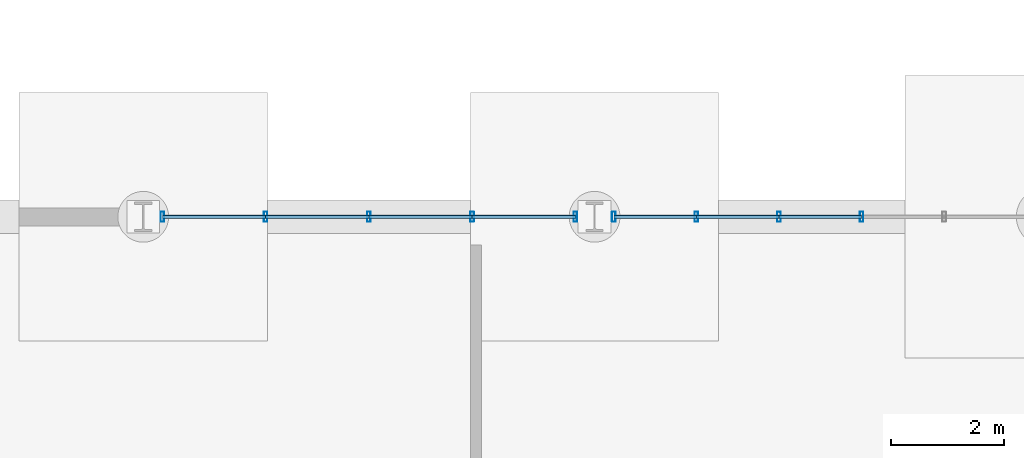
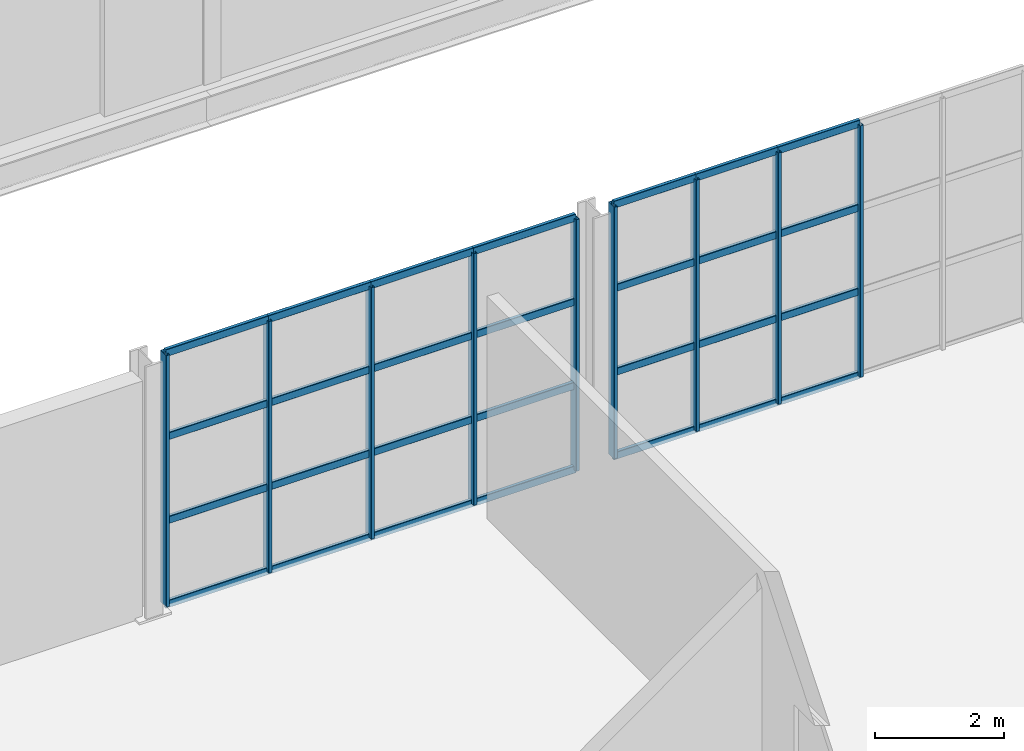
# One storey, part 59 of 101: 37 members, 2 elements without a shape of their own.
"""IFC4 building model written with IfcOpenShell, lengths in metres."""

import ifcopenshell
import ifcopenshell.guid

model = None  # the IFC model being written
_history = None  # IfcOwnerHistory: only IFC2X3 demands one
_inside = {}  # id of a spatial element -> (the spatial element, [elements in it])
_under = {}  # id of a project, library or spatial element -> (it, [spatial elements below it])
_declared = {}  # id of a project -> (the project, [libraries it declares])
_typed = {}  # id of a type object -> (the type object, [elements of that type])
_made_of = {}  # id of a material, layer set ... -> (it, [elements and type objects made of it])


def new_model(schema):
    """Start an empty IFC model of exactly this schema.

    Asked for "IFC4X3", IfcOpenShell would pick the latest addendum, in which some entities
    have other attributes; the version numbers below select the first issue.
    IFC2X3 requires an IfcOwnerHistory on every rooted entity: one is made here for all.
    """
    global model, _history
    if schema == "IFC4X3":
        model = ifcopenshell.file(schema_version=(4, 3, 0, 0))
    else:
        model = ifcopenshell.file(schema=schema)
    _inside.clear()
    _under.clear()
    _declared.clear()
    _typed.clear()
    _made_of.clear()
    _history = None
    if model.schema == "IFC2X3":
        org = make("IfcOrganization", Name="unknown")
        user = make(
            "IfcPersonAndOrganization",
            ThePerson=make("IfcPerson", FamilyName="unknown"),
            TheOrganization=org,
        )
        app = make(
            "IfcApplication",
            ApplicationDeveloper=org,
            Version="unknown",
            ApplicationFullName="unknown",
            ApplicationIdentifier="unknown",
        )
        _history = make(
            "IfcOwnerHistory",
            OwningUser=user,
            OwningApplication=app,
            ChangeAction="ADDED",
            CreationDate=0,
        )
    return model


def make(cls, **values):
    """One entity of the class cls with the attributes given. An attribute that is None is left unset."""
    return model.create_entity(
        cls, **{name: value for name, value in values.items() if value is not None}
    )


def rooted(cls, **values):
    """An entity with a GlobalId (a new one), such as an element, a storey or a relation."""
    return make(cls, GlobalId=ifcopenshell.guid.new(), OwnerHistory=_history, **values)


def si_unit(unit_type, name, prefix=None):
    """IfcSIUnit, for example si_unit("LENGTHUNIT", "METRE", prefix="MILLI")."""
    return make("IfcSIUnit", UnitType=unit_type, Prefix=prefix, Name=name)


def derived_unit(unit_type, elements):
    """IfcDerivedUnit: a product of units, each with its exponent."""
    return make(
        "IfcDerivedUnit",
        Elements=[
            make("IfcDerivedUnitElement", Unit=unit, Exponent=power)
            for unit, power in elements
        ],
        UnitType=unit_type,
    )


def assignment(units):
    """IfcUnitAssignment: the units of a project."""
    return None if units is None else make("IfcUnitAssignment", Units=units)


def point(xyz):
    """IfcCartesianPoint."""
    return None if xyz is None else make("IfcCartesianPoint", Coordinates=xyz)


def direction(xyz):
    """IfcDirection."""
    return None if xyz is None else make("IfcDirection", DirectionRatios=xyz)


def frame(location, z_axis=None, x_axis=None):
    """IfcAxis2Placement3D, a coordinate frame: its origin and axes. An axis left out is left unset."""
    return make(
        "IfcAxis2Placement3D",
        Location=point(location),
        Axis=direction(z_axis),
        RefDirection=direction(x_axis),
    )


def frame_2d(location, x_axis=None):
    """IfcAxis2Placement2D, a coordinate frame in the plane: its origin and x axis."""
    return make(
        "IfcAxis2Placement2D", Location=point(location), RefDirection=direction(x_axis)
    )


def origin():
    """The frame at (0, 0, 0) with its axes left unset."""
    return frame((0.0, 0.0, 0.0))


def origin_2d():
    """The frame at (0, 0) in the plane with its x axis left unset."""
    return frame_2d((0.0, 0.0))


def place(relative_to, where):
    """IfcLocalPlacement: puts the frame where relative to a parent placement (None: the world)."""
    return make(
        "IfcLocalPlacement", PlacementRelTo=relative_to, RelativePlacement=where
    )


def context(
    kind, dimensions, precision=None, world=None, true_north=None, identifier=None
):
    """IfcGeometricRepresentationContext, for example the 3D "Model" context."""
    return make(
        "IfcGeometricRepresentationContext",
        ContextIdentifier=identifier,
        ContextType=kind,
        CoordinateSpaceDimension=dimensions,
        Precision=precision,
        WorldCoordinateSystem=world,
        TrueNorth=true_north,
    )


def subcontext(parent, identifier, kind, view, scale=None):
    """IfcGeometricRepresentationSubContext, for example "Body" below "Model"."""
    return make(
        "IfcGeometricRepresentationSubContext",
        ContextIdentifier=identifier,
        ContextType=kind,
        ParentContext=parent,
        TargetScale=scale,
        TargetView=view,
    )


def project(units=None, contexts=None):
    """IfcProject with its units and contexts."""
    return rooted(
        "IfcProject",
        Name="project",
        RepresentationContexts=contexts,
        UnitsInContext=assignment(units),
    )


def spatial(cls, under=None, at=None, **own):
    """A site, building, storey or space (cls), placed at a placement, below another one or the project."""
    s = rooted(cls, ObjectPlacement=at, **own)
    if under is not None:
        _under.setdefault(under.id(), (under, []))[1].append(s)
    return s


def profile(cls, at=None, kind="AREA", **sizes):
    """A parametric profile (cls). Its sizes go by their IFC names, for example OverallWidth=200.0."""
    return make(cls, ProfileType=kind, Position=at, **sizes)


def hollow_rectangle(**sizes):
    """IfcRectangleHollowProfileDef."""
    return profile("IfcRectangleHollowProfileDef", **sizes)


def extrude(swept, where, along, depth):
    """IfcExtrudedAreaSolid: the profile swept, set in the frame where, extruded along a direction by depth."""
    return make(
        "IfcExtrudedAreaSolid",
        SweptArea=swept,
        Position=where,
        ExtrudedDirection=direction(along),
        Depth=depth,
    )


def shape(context_of_items, identifier, shape_type, items):
    """IfcShapeRepresentation: the items that make up one representation, for example the "Body"."""
    return make(
        "IfcShapeRepresentation",
        ContextOfItems=context_of_items,
        RepresentationIdentifier=identifier,
        RepresentationType=shape_type,
        Items=items,
    )


def material(Name=None, Category=None):
    """IfcMaterial."""
    return make("IfcMaterial", Name=Name, Category=Category)


def material_profile(
    of_material, cross_section, Name=None, Category=None, Priority=None
):
    """IfcMaterialProfile: a cross section and its material."""
    return make(
        "IfcMaterialProfile",
        Name=Name,
        Material=of_material,
        Profile=cross_section,
        Priority=Priority,
        Category=Category,
    )


def profile_set(profiles, Name=None, composite=None):
    """IfcMaterialProfileSet."""
    return make(
        "IfcMaterialProfileSet",
        Name=Name,
        MaterialProfiles=profiles,
        CompositeProfile=composite,
    )


def made_of(thing, what):
    """Note that an element or type object is made of a material, layer set ...; save() writes the relation."""
    if what is not None:
        _made_of.setdefault(what.id(), (what, []))[1].append(thing)
    return thing


def type_object(cls, material=None, **own):
    """A type object (cls), such as IfcWallType, which elements share."""
    return made_of(rooted(cls, **own), material)


def element(
    cls,
    number,
    at=None,
    inside=None,
    cuts=None,
    type_object=None,
    material=None,
    context=None,
    identifier="Body",
    shape_type=None,
    held_by="IfcProductDefinitionShape",
    body=None,
    shapes=None,
    **own,
):
    """One element of the class cls, such as IfcWall. Its Tag is "e" and its number.

    at: its placement. inside: the storey or other place that contains it. cuts: it is an
    opening in that element (IfcRelVoidsElement). A single representation is given by context,
    identifier, shape_type and body (its items); several are given by shapes. held_by: the class
    of the entity that holds the representations. save() writes the other relations.
    """
    e = rooted(cls, Tag="e%d" % number, ObjectPlacement=at, **own)
    if body is not None:
        shapes = [shape(context, identifier, shape_type, body)]
    if shapes is not None:
        e.Representation = make(held_by, Representations=shapes)
    if inside is not None:
        _inside.setdefault(inside.id(), (inside, []))[1].append(e)
    if cuts is not None:
        rooted(
            "IfcRelVoidsElement", RelatingBuildingElement=cuts, RelatedOpeningElement=e
        )
    if type_object is not None:
        _typed.setdefault(type_object.id(), (type_object, []))[1].append(e)
    return made_of(e, material)


def aggregate(whole, parts):
    """IfcRelAggregates: a whole, such as a stair, and the parts it consists of."""
    return rooted("IfcRelAggregates", RelatingObject=whole, RelatedObjects=parts)


def save(model, path):
    """Write the relations noted so far, then the file.

    IfcRelAggregates (storeys below a building ...), IfcRelContainedInSpatialStructure (elements
    in a storey), IfcRelDefinesByType, IfcRelAssociatesMaterial and IfcRelDeclares: one each for
    every whole, place, type object, material and project.
    """
    for whole, parts in _under.values():
        aggregate(whole, parts)
    for where, things in _inside.values():
        rooted(
            "IfcRelContainedInSpatialStructure",
            RelatedElements=things,
            RelatingStructure=where,
        )
    for kind, things in _typed.values():
        rooted("IfcRelDefinesByType", RelatedObjects=things, RelatingType=kind)
    for what, things in _made_of.values():
        rooted("IfcRelAssociatesMaterial", RelatedObjects=things, RelatingMaterial=what)
    for by, libraries in _declared.values():
        rooted("IfcRelDeclares", RelatingContext=by, RelatedDefinitions=libraries)
    model.write(path)


model = new_model("IFC4")

# Units and contexts
model_context = context("Model", 3, precision=1e-05, world=origin(), true_north=direction((0.0, 1.0)))
body_context = subcontext(model_context, "Body", "Model", "MODEL_VIEW")
ifc_project = project(units=[si_unit("LENGTHUNIT", "METRE"), si_unit("AREAUNIT", "SQUARE_METRE"), si_unit("VOLUMEUNIT", "CUBIC_METRE"), si_unit("PLANEANGLEUNIT", "RADIAN"), si_unit("MASSUNIT", "GRAM", prefix="KILO"), derived_unit("THERMALTRANSMITTANCEUNIT", [(si_unit("POWERUNIT", "WATT"), 1), (si_unit("LENGTHUNIT", "METRE"), -2), (si_unit("THERMODYNAMICTEMPERATUREUNIT", "KELVIN"), -1)])], contexts=[model_context])

# Site, building, storey
site_placement = place(None, origin())
site = spatial("IfcSite", under=ifc_project, at=site_placement, CompositionType="ELEMENT")
building_placement = place(site_placement, origin())
building = spatial("IfcBuilding", under=site, at=building_placement, Name="Keldorne Ridge Multi-Sports Centre", CompositionType="ELEMENT")
storey_placement = place(building_placement, origin())
storey = spatial("IfcBuildingStorey", under=building, at=storey_placement, Name="L00", CompositionType="ELEMENT", Elevation=0.0)

# Curtain wall, members
ifc_material = material(Name="Anodized aluminium", Category="aluminium")
curtain_wall_type_1 = type_object("IfcCurtainWallType", Name="CW-CW-08", PredefinedType="NOTDEFINED", material=ifc_material)
curtain_wall_1_placement = place(storey_placement, origin())
curtain_wall_1 = element("IfcCurtainWall", 1, at=curtain_wall_1_placement, inside=storey, type_object=curtain_wall_type_1, Name="Lower Courts north glazing 128", PredefinedType="NOTDEFINED")
ifc_material_profile_1 = material_profile(ifc_material, hollow_rectangle(XDim=0.06494140625, YDim=0.179931640625, WallThickness=0.00439453125, InnerFilletRadius=0.00439453125, OuterFilletRadius=0.009033203125, at=origin_2d()), Name="ALU MULLION 180x65x4.5")
ifc_profile_set_1 = profile_set([ifc_material_profile_1], Name="Anodized aluminium")
member_type_1 = type_object("IfcMemberType", Name="MEM-ML-01", PredefinedType="MULLION", material=ifc_profile_set_1)
member_1_placement = place(storey_placement, frame((159.659912109375, 54.0, 0.0), z_axis=(0.0, 0.0, 1.0), x_axis=(1.0, 0.0, 0.0)))
member_1 = element("IfcMember", 2, at=member_1_placement, type_object=member_type_1, Name="CW-128 vertical mullion 1", PredefinedType="MULLION", context=body_context, shape_type="SweptSolid", body=[
    extrude(hollow_rectangle(XDim=0.06494140625, YDim=0.179931640625, WallThickness=0.00439453125, InnerFilletRadius=0.00439453125, OuterFilletRadius=0.009033203125, at=origin_2d()), origin(), (0.0, 0.0, 1.0), 4.75),
])
member_2_placement = place(storey_placement, frame((157.830078125, 54.0, 0.0), z_axis=(0.0, 0.0, 1.0), x_axis=(1.0, 0.0, 0.0)))
member_2 = element("IfcMember", 3, at=member_2_placement, type_object=member_type_1, Name="CW-128 vertical mullion 2", PredefinedType="MULLION", context=body_context, shape_type="SweptSolid", body=[
    extrude(hollow_rectangle(XDim=0.06494140625, YDim=0.179931640625, WallThickness=0.00439453125, InnerFilletRadius=0.00439453125, OuterFilletRadius=0.009033203125, at=origin_2d()), origin(), (0.0, 0.0, 1.0), 4.75),
])
member_3_placement = place(storey_placement, frame((156.0, 54.0, 0.0), z_axis=(0.0, 0.0, 1.0), x_axis=(1.0, 0.0, 0.0)))
member_3 = element("IfcMember", 4, at=member_3_placement, type_object=member_type_1, Name="CW-128 vertical mullion 3", PredefinedType="MULLION", context=body_context, shape_type="SweptSolid", body=[
    extrude(hollow_rectangle(XDim=0.06494140625, YDim=0.179931640625, WallThickness=0.00439453125, InnerFilletRadius=0.00439453125, OuterFilletRadius=0.009033203125, at=origin_2d()), origin(), (0.0, 0.0, 1.0), 4.75),
])
member_4_placement = place(storey_placement, frame((154.169921875, 54.0, 0.0), z_axis=(0.0, 0.0, 1.0), x_axis=(1.0, 0.0, 0.0)))
member_4 = element("IfcMember", 5, at=member_4_placement, type_object=member_type_1, Name="CW-128 vertical mullion 4", PredefinedType="MULLION", context=body_context, shape_type="SweptSolid", body=[
    extrude(hollow_rectangle(XDim=0.06494140625, YDim=0.179931640625, WallThickness=0.00439453125, InnerFilletRadius=0.00439453125, OuterFilletRadius=0.009033203125, at=origin_2d()), origin(), (0.0, 0.0, 1.0), 4.75),
])
member_5_placement = place(storey_placement, frame((152.340087890625, 54.0, 0.0), z_axis=(0.0, 0.0, 1.0), x_axis=(1.0, 0.0, 0.0)))
member_5 = element("IfcMember", 6, at=member_5_placement, type_object=member_type_1, Name="CW-128 vertical mullion 5", PredefinedType="MULLION", context=body_context, shape_type="SweptSolid", body=[
    extrude(hollow_rectangle(XDim=0.06494140625, YDim=0.179931640625, WallThickness=0.00439453125, InnerFilletRadius=0.00439453125, OuterFilletRadius=0.009033203125, at=origin_2d()), origin(), (0.0, 0.0, 1.0), 4.75),
])

curtain_wall_type_2 = type_object("IfcCurtainWallType", Name="CW-CW-07", PredefinedType="NOTDEFINED", material=ifc_material)
curtain_wall_2_placement = place(storey_placement, origin())
curtain_wall_2 = element("IfcCurtainWall", 7, at=curtain_wall_2_placement, inside=storey, type_object=curtain_wall_type_2, Name="Lower Courts north glazing 135", PredefinedType="NOTDEFINED")
member_6_placement = place(storey_placement, frame((164.73193359375, 54.0, 0.0), z_axis=(0.0, 0.0, 1.0), x_axis=(1.0, 0.0, 0.0)))
member_6 = element("IfcMember", 8, at=member_6_placement, type_object=member_type_1, Name="CW-135 vertical mullion 3", PredefinedType="MULLION", context=body_context, shape_type="SweptSolid", body=[
    extrude(hollow_rectangle(XDim=0.06494140625, YDim=0.179931640625, WallThickness=0.00439453125, InnerFilletRadius=0.00439453125, OuterFilletRadius=0.009033203125, at=origin_2d()), origin(), (0.0, 0.0, 1.0), 4.75),
])
member_7_placement = place(storey_placement, frame((163.26806640625, 54.0, 0.0), z_axis=(0.0, 0.0, 1.0), x_axis=(1.0, 0.0, 0.0)))
member_7 = element("IfcMember", 9, at=member_7_placement, type_object=member_type_1, Name="CW-135 vertical mullion 4", PredefinedType="MULLION", context=body_context, shape_type="SweptSolid", body=[
    extrude(hollow_rectangle(XDim=0.06494140625, YDim=0.179931640625, WallThickness=0.00439453125, InnerFilletRadius=0.00439453125, OuterFilletRadius=0.009033203125, at=origin_2d()), origin(), (0.0, 0.0, 1.0), 4.75),
])
member_8_placement = place(storey_placement, frame((161.803955078125, 54.0, 0.0), z_axis=(0.0, 0.0, 1.0), x_axis=(1.0, 0.0, 0.0)))
member_8 = element("IfcMember", 10, at=member_8_placement, type_object=member_type_1, Name="CW-135 vertical mullion 5", PredefinedType="MULLION", context=body_context, shape_type="SweptSolid", body=[
    extrude(hollow_rectangle(XDim=0.06494140625, YDim=0.179931640625, WallThickness=0.00439453125, InnerFilletRadius=0.00439453125, OuterFilletRadius=0.009033203125, at=origin_2d()), origin(), (0.0, 0.0, 1.0), 4.75),
])
member_9_placement = place(storey_placement, frame((160.340087890625, 54.0, 0.0), z_axis=(0.0, 0.0, 1.0), x_axis=(1.0, 0.0, 0.0)))
member_9 = element("IfcMember", 11, at=member_9_placement, type_object=member_type_1, Name="CW-135 vertical mullion 6", PredefinedType="MULLION", context=body_context, shape_type="SweptSolid", body=[
    extrude(hollow_rectangle(XDim=0.06494140625, YDim=0.179931640625, WallThickness=0.00439453125, InnerFilletRadius=0.00439453125, OuterFilletRadius=0.009033203125, at=origin_2d()), origin(), (0.0, 0.0, 1.0), 4.75),
])

# Member
ifc_material_profile_2 = material_profile(ifc_material, hollow_rectangle(XDim=0.06494140625, YDim=0.139892578125, WallThickness=0.00439453125, InnerFilletRadius=0.00439453125, OuterFilletRadius=0.009033203125, at=origin_2d()), Name="ALU TRANSOM 140x65x4.5")
ifc_profile_set_2 = profile_set([ifc_material_profile_2], Name="Anodized aluminium")
member_type_2 = type_object("IfcMemberType", Name="MEM-TR-01", PredefinedType="USERDEFINED", material=ifc_profile_set_2)
member_10_placement = place(storey_placement, frame((159.659912109375, 54.0, 0.0), z_axis=(-1.0, 0.0, 0.0), x_axis=(0.0, -1.0, 0.0)))
member_10 = element("IfcMember", 12, at=member_10_placement, type_object=member_type_2, Name="CW-128 transom 1.1", ObjectType="TRANSOM", PredefinedType="USERDEFINED", context=body_context, shape_type="SweptSolid", body=[
    extrude(hollow_rectangle(XDim=0.06494140625, YDim=0.139892578125, WallThickness=0.00439453125, InnerFilletRadius=0.00439453125, OuterFilletRadius=0.009033203125, at=origin_2d()), origin(), (0.0, 0.0, 1.0), 1.829833984375),
])

member_11_placement = place(storey_placement, frame((159.659912109375, 54.0, 1.583251953125), z_axis=(-1.0, 0.0, 0.0), x_axis=(0.0, -1.0, 0.0)))
member_11 = element("IfcMember", 13, at=member_11_placement, type_object=member_type_2, Name="CW-128 transom 1.2", ObjectType="TRANSOM", PredefinedType="USERDEFINED", context=body_context, shape_type="SweptSolid", body=[
    extrude(hollow_rectangle(XDim=0.06494140625, YDim=0.139892578125, WallThickness=0.00439453125, InnerFilletRadius=0.00439453125, OuterFilletRadius=0.009033203125, at=origin_2d()), origin(), (0.0, 0.0, 1.0), 1.829833984375),
])

member_12_placement = place(storey_placement, frame((159.659912109375, 54.0, 3.166748046875), z_axis=(-1.0, 0.0, 0.0), x_axis=(0.0, -1.0, 0.0)))
member_12 = element("IfcMember", 14, at=member_12_placement, type_object=member_type_2, Name="CW-128 transom 1.3", ObjectType="TRANSOM", PredefinedType="USERDEFINED", context=body_context, shape_type="SweptSolid", body=[
    extrude(hollow_rectangle(XDim=0.06494140625, YDim=0.139892578125, WallThickness=0.00439453125, InnerFilletRadius=0.00439453125, OuterFilletRadius=0.009033203125, at=origin_2d()), origin(), (0.0, 0.0, 1.0), 1.829833984375),
])

member_13_placement = place(storey_placement, frame((159.659912109375, 54.0, 4.75), z_axis=(-1.0, 0.0, 0.0), x_axis=(0.0, -1.0, 0.0)))
member_13 = element("IfcMember", 15, at=member_13_placement, type_object=member_type_2, Name="CW-128 transom 1.4", ObjectType="TRANSOM", PredefinedType="USERDEFINED", context=body_context, shape_type="SweptSolid", body=[
    extrude(hollow_rectangle(XDim=0.06494140625, YDim=0.139892578125, WallThickness=0.00439453125, InnerFilletRadius=0.00439453125, OuterFilletRadius=0.009033203125, at=origin_2d()), origin(), (0.0, 0.0, 1.0), 1.829833984375),
])

member_14_placement = place(storey_placement, frame((157.830078125, 54.0, 0.0), z_axis=(-1.0, 0.0, 0.0), x_axis=(0.0, -1.0, 0.0)))
member_14 = element("IfcMember", 16, at=member_14_placement, type_object=member_type_2, Name="CW-128 transom 2.1", ObjectType="TRANSOM", PredefinedType="USERDEFINED", context=body_context, shape_type="SweptSolid", body=[
    extrude(hollow_rectangle(XDim=0.06494140625, YDim=0.139892578125, WallThickness=0.00439453125, InnerFilletRadius=0.00439453125, OuterFilletRadius=0.009033203125, at=origin_2d()), origin(), (0.0, 0.0, 1.0), 1.830078125),
])

member_15_placement = place(storey_placement, frame((157.830078125, 54.0, 1.583251953125), z_axis=(-1.0, 0.0, 0.0), x_axis=(0.0, -1.0, 0.0)))
member_15 = element("IfcMember", 17, at=member_15_placement, type_object=member_type_2, Name="CW-128 transom 2.2", ObjectType="TRANSOM", PredefinedType="USERDEFINED", context=body_context, shape_type="SweptSolid", body=[
    extrude(hollow_rectangle(XDim=0.06494140625, YDim=0.139892578125, WallThickness=0.00439453125, InnerFilletRadius=0.00439453125, OuterFilletRadius=0.009033203125, at=origin_2d()), origin(), (0.0, 0.0, 1.0), 1.830078125),
])

member_16_placement = place(storey_placement, frame((157.830078125, 54.0, 3.166748046875), z_axis=(-1.0, 0.0, 0.0), x_axis=(0.0, -1.0, 0.0)))
member_16 = element("IfcMember", 18, at=member_16_placement, type_object=member_type_2, Name="CW-128 transom 2.3", ObjectType="TRANSOM", PredefinedType="USERDEFINED", context=body_context, shape_type="SweptSolid", body=[
    extrude(hollow_rectangle(XDim=0.06494140625, YDim=0.139892578125, WallThickness=0.00439453125, InnerFilletRadius=0.00439453125, OuterFilletRadius=0.009033203125, at=origin_2d()), origin(), (0.0, 0.0, 1.0), 1.830078125),
])

member_17_placement = place(storey_placement, frame((157.830078125, 54.0, 4.75), z_axis=(-1.0, 0.0, 0.0), x_axis=(0.0, -1.0, 0.0)))
member_17 = element("IfcMember", 19, at=member_17_placement, type_object=member_type_2, Name="CW-128 transom 2.4", ObjectType="TRANSOM", PredefinedType="USERDEFINED", context=body_context, shape_type="SweptSolid", body=[
    extrude(hollow_rectangle(XDim=0.06494140625, YDim=0.139892578125, WallThickness=0.00439453125, InnerFilletRadius=0.00439453125, OuterFilletRadius=0.009033203125, at=origin_2d()), origin(), (0.0, 0.0, 1.0), 1.830078125),
])

member_18_placement = place(storey_placement, frame((156.0, 54.0, 0.0), z_axis=(-1.0, 0.0, 0.0), x_axis=(0.0, -1.0, 0.0)))
member_18 = element("IfcMember", 20, at=member_18_placement, type_object=member_type_2, Name="CW-128 transom 3.1", ObjectType="TRANSOM", PredefinedType="USERDEFINED", context=body_context, shape_type="SweptSolid", body=[
    extrude(hollow_rectangle(XDim=0.06494140625, YDim=0.139892578125, WallThickness=0.00439453125, InnerFilletRadius=0.00439453125, OuterFilletRadius=0.009033203125, at=origin_2d()), origin(), (0.0, 0.0, 1.0), 1.830078125),
])

member_19_placement = place(storey_placement, frame((156.0, 54.0, 1.583251953125), z_axis=(-1.0, 0.0, 0.0), x_axis=(0.0, -1.0, 0.0)))
member_19 = element("IfcMember", 21, at=member_19_placement, type_object=member_type_2, Name="CW-128 transom 3.2", ObjectType="TRANSOM", PredefinedType="USERDEFINED", context=body_context, shape_type="SweptSolid", body=[
    extrude(hollow_rectangle(XDim=0.06494140625, YDim=0.139892578125, WallThickness=0.00439453125, InnerFilletRadius=0.00439453125, OuterFilletRadius=0.009033203125, at=origin_2d()), origin(), (0.0, 0.0, 1.0), 1.830078125),
])

member_20_placement = place(storey_placement, frame((156.0, 54.0, 3.166748046875), z_axis=(-1.0, 0.0, 0.0), x_axis=(0.0, -1.0, 0.0)))
member_20 = element("IfcMember", 22, at=member_20_placement, type_object=member_type_2, Name="CW-128 transom 3.3", ObjectType="TRANSOM", PredefinedType="USERDEFINED", context=body_context, shape_type="SweptSolid", body=[
    extrude(hollow_rectangle(XDim=0.06494140625, YDim=0.139892578125, WallThickness=0.00439453125, InnerFilletRadius=0.00439453125, OuterFilletRadius=0.009033203125, at=origin_2d()), origin(), (0.0, 0.0, 1.0), 1.830078125),
])

member_21_placement = place(storey_placement, frame((156.0, 54.0, 4.75), z_axis=(-1.0, 0.0, 0.0), x_axis=(0.0, -1.0, 0.0)))
member_21 = element("IfcMember", 23, at=member_21_placement, type_object=member_type_2, Name="CW-128 transom 3.4", ObjectType="TRANSOM", PredefinedType="USERDEFINED", context=body_context, shape_type="SweptSolid", body=[
    extrude(hollow_rectangle(XDim=0.06494140625, YDim=0.139892578125, WallThickness=0.00439453125, InnerFilletRadius=0.00439453125, OuterFilletRadius=0.009033203125, at=origin_2d()), origin(), (0.0, 0.0, 1.0), 1.830078125),
])

member_22_placement = place(storey_placement, frame((154.169921875, 54.0, 0.0), z_axis=(-1.0, 0.0, 0.0), x_axis=(0.0, -1.0, 0.0)))
member_22 = element("IfcMember", 24, at=member_22_placement, type_object=member_type_2, Name="CW-128 transom 4.1", ObjectType="TRANSOM", PredefinedType="USERDEFINED", context=body_context, shape_type="SweptSolid", body=[
    extrude(hollow_rectangle(XDim=0.06494140625, YDim=0.139892578125, WallThickness=0.00439453125, InnerFilletRadius=0.00439453125, OuterFilletRadius=0.009033203125, at=origin_2d()), origin(), (0.0, 0.0, 1.0), 1.829833984375),
])

member_23_placement = place(storey_placement, frame((154.169921875, 54.0, 1.583251953125), z_axis=(-1.0, 0.0, 0.0), x_axis=(0.0, -1.0, 0.0)))
member_23 = element("IfcMember", 25, at=member_23_placement, type_object=member_type_2, Name="CW-128 transom 4.2", ObjectType="TRANSOM", PredefinedType="USERDEFINED", context=body_context, shape_type="SweptSolid", body=[
    extrude(hollow_rectangle(XDim=0.06494140625, YDim=0.139892578125, WallThickness=0.00439453125, InnerFilletRadius=0.00439453125, OuterFilletRadius=0.009033203125, at=origin_2d()), origin(), (0.0, 0.0, 1.0), 1.829833984375),
])

member_24_placement = place(storey_placement, frame((154.169921875, 54.0, 3.166748046875), z_axis=(-1.0, 0.0, 0.0), x_axis=(0.0, -1.0, 0.0)))
member_24 = element("IfcMember", 26, at=member_24_placement, type_object=member_type_2, Name="CW-128 transom 4.3", ObjectType="TRANSOM", PredefinedType="USERDEFINED", context=body_context, shape_type="SweptSolid", body=[
    extrude(hollow_rectangle(XDim=0.06494140625, YDim=0.139892578125, WallThickness=0.00439453125, InnerFilletRadius=0.00439453125, OuterFilletRadius=0.009033203125, at=origin_2d()), origin(), (0.0, 0.0, 1.0), 1.829833984375),
])

member_25_placement = place(storey_placement, frame((154.169921875, 54.0, 4.75), z_axis=(-1.0, 0.0, 0.0), x_axis=(0.0, -1.0, 0.0)))
member_25 = element("IfcMember", 27, at=member_25_placement, type_object=member_type_2, Name="CW-128 transom 4.4", ObjectType="TRANSOM", PredefinedType="USERDEFINED", context=body_context, shape_type="SweptSolid", body=[
    extrude(hollow_rectangle(XDim=0.06494140625, YDim=0.139892578125, WallThickness=0.00439453125, InnerFilletRadius=0.00439453125, OuterFilletRadius=0.009033203125, at=origin_2d()), origin(), (0.0, 0.0, 1.0), 1.829833984375),
])

aggregate(curtain_wall_1, [member_1, member_2, member_3, member_4, member_5, member_10, member_11, member_12, member_13, member_14, member_15, member_16, member_17, member_18, member_19, member_20, member_21, member_22, member_23, member_24, member_25])

member_26_placement = place(storey_placement, frame((164.73193359375, 54.0, 0.0), z_axis=(-1.0, 0.0, 0.0), x_axis=(0.0, -1.0, 0.0)))
member_26 = element("IfcMember", 28, at=member_26_placement, type_object=member_type_2, Name="CW-135 transom 3.1", ObjectType="TRANSOM", PredefinedType="USERDEFINED", context=body_context, shape_type="SweptSolid", body=[
    extrude(hollow_rectangle(XDim=0.06494140625, YDim=0.139892578125, WallThickness=0.00439453125, InnerFilletRadius=0.00439453125, OuterFilletRadius=0.009033203125, at=origin_2d()), origin(), (0.0, 0.0, 1.0), 1.4638671875),
])

member_27_placement = place(storey_placement, frame((164.73193359375, 54.0, 1.583251953125), z_axis=(-1.0, 0.0, 0.0), x_axis=(0.0, -1.0, 0.0)))
member_27 = element("IfcMember", 29, at=member_27_placement, type_object=member_type_2, Name="CW-135 transom 3.2", ObjectType="TRANSOM", PredefinedType="USERDEFINED", context=body_context, shape_type="SweptSolid", body=[
    extrude(hollow_rectangle(XDim=0.06494140625, YDim=0.139892578125, WallThickness=0.00439453125, InnerFilletRadius=0.00439453125, OuterFilletRadius=0.009033203125, at=origin_2d()), origin(), (0.0, 0.0, 1.0), 1.4638671875),
])

member_28_placement = place(storey_placement, frame((164.73193359375, 54.0, 3.166748046875), z_axis=(-1.0, 0.0, 0.0), x_axis=(0.0, -1.0, 0.0)))
member_28 = element("IfcMember", 30, at=member_28_placement, type_object=member_type_2, Name="CW-135 transom 3.3", ObjectType="TRANSOM", PredefinedType="USERDEFINED", context=body_context, shape_type="SweptSolid", body=[
    extrude(hollow_rectangle(XDim=0.06494140625, YDim=0.139892578125, WallThickness=0.00439453125, InnerFilletRadius=0.00439453125, OuterFilletRadius=0.009033203125, at=origin_2d()), origin(), (0.0, 0.0, 1.0), 1.4638671875),
])

member_29_placement = place(storey_placement, frame((164.73193359375, 54.0, 4.75), z_axis=(-1.0, 0.0, 0.0), x_axis=(0.0, -1.0, 0.0)))
member_29 = element("IfcMember", 31, at=member_29_placement, type_object=member_type_2, Name="CW-135 transom 3.4", ObjectType="TRANSOM", PredefinedType="USERDEFINED", context=body_context, shape_type="SweptSolid", body=[
    extrude(hollow_rectangle(XDim=0.06494140625, YDim=0.139892578125, WallThickness=0.00439453125, InnerFilletRadius=0.00439453125, OuterFilletRadius=0.009033203125, at=origin_2d()), origin(), (0.0, 0.0, 1.0), 1.4638671875),
])

member_30_placement = place(storey_placement, frame((163.26806640625, 54.0, 0.0), z_axis=(-1.0, 0.0, 0.0), x_axis=(0.0, -1.0, 0.0)))
member_30 = element("IfcMember", 32, at=member_30_placement, type_object=member_type_2, Name="CW-135 transom 4.1", ObjectType="TRANSOM", PredefinedType="USERDEFINED", context=body_context, shape_type="SweptSolid", body=[
    extrude(hollow_rectangle(XDim=0.06494140625, YDim=0.139892578125, WallThickness=0.00439453125, InnerFilletRadius=0.00439453125, OuterFilletRadius=0.009033203125, at=origin_2d()), origin(), (0.0, 0.0, 1.0), 1.464111328125),
])

member_31_placement = place(storey_placement, frame((163.26806640625, 54.0, 1.583251953125), z_axis=(-1.0, 0.0, 0.0), x_axis=(0.0, -1.0, 0.0)))
member_31 = element("IfcMember", 33, at=member_31_placement, type_object=member_type_2, Name="CW-135 transom 4.2", ObjectType="TRANSOM", PredefinedType="USERDEFINED", context=body_context, shape_type="SweptSolid", body=[
    extrude(hollow_rectangle(XDim=0.06494140625, YDim=0.139892578125, WallThickness=0.00439453125, InnerFilletRadius=0.00439453125, OuterFilletRadius=0.009033203125, at=origin_2d()), origin(), (0.0, 0.0, 1.0), 1.464111328125),
])

member_32_placement = place(storey_placement, frame((163.26806640625, 54.0, 3.166748046875), z_axis=(-1.0, 0.0, 0.0), x_axis=(0.0, -1.0, 0.0)))
member_32 = element("IfcMember", 34, at=member_32_placement, type_object=member_type_2, Name="CW-135 transom 4.3", ObjectType="TRANSOM", PredefinedType="USERDEFINED", context=body_context, shape_type="SweptSolid", body=[
    extrude(hollow_rectangle(XDim=0.06494140625, YDim=0.139892578125, WallThickness=0.00439453125, InnerFilletRadius=0.00439453125, OuterFilletRadius=0.009033203125, at=origin_2d()), origin(), (0.0, 0.0, 1.0), 1.464111328125),
])

member_33_placement = place(storey_placement, frame((163.26806640625, 54.0, 4.75), z_axis=(-1.0, 0.0, 0.0), x_axis=(0.0, -1.0, 0.0)))
member_33 = element("IfcMember", 35, at=member_33_placement, type_object=member_type_2, Name="CW-135 transom 4.4", ObjectType="TRANSOM", PredefinedType="USERDEFINED", context=body_context, shape_type="SweptSolid", body=[
    extrude(hollow_rectangle(XDim=0.06494140625, YDim=0.139892578125, WallThickness=0.00439453125, InnerFilletRadius=0.00439453125, OuterFilletRadius=0.009033203125, at=origin_2d()), origin(), (0.0, 0.0, 1.0), 1.464111328125),
])

member_34_placement = place(storey_placement, frame((161.803955078125, 54.0, 0.0), z_axis=(-1.0, 0.0, 0.0), x_axis=(0.0, -1.0, 0.0)))
member_34 = element("IfcMember", 36, at=member_34_placement, type_object=member_type_2, Name="CW-135 transom 5.1", ObjectType="TRANSOM", PredefinedType="USERDEFINED", context=body_context, shape_type="SweptSolid", body=[
    extrude(hollow_rectangle(XDim=0.06494140625, YDim=0.139892578125, WallThickness=0.00439453125, InnerFilletRadius=0.00439453125, OuterFilletRadius=0.009033203125, at=origin_2d()), origin(), (0.0, 0.0, 1.0), 1.4638671875),
])

member_35_placement = place(storey_placement, frame((161.803955078125, 54.0, 1.583251953125), z_axis=(-1.0, 0.0, 0.0), x_axis=(0.0, -1.0, 0.0)))
member_35 = element("IfcMember", 37, at=member_35_placement, type_object=member_type_2, Name="CW-135 transom 5.2", ObjectType="TRANSOM", PredefinedType="USERDEFINED", context=body_context, shape_type="SweptSolid", body=[
    extrude(hollow_rectangle(XDim=0.06494140625, YDim=0.139892578125, WallThickness=0.00439453125, InnerFilletRadius=0.00439453125, OuterFilletRadius=0.009033203125, at=origin_2d()), origin(), (0.0, 0.0, 1.0), 1.4638671875),
])

member_36_placement = place(storey_placement, frame((161.803955078125, 54.0, 3.166748046875), z_axis=(-1.0, 0.0, 0.0), x_axis=(0.0, -1.0, 0.0)))
member_36 = element("IfcMember", 38, at=member_36_placement, type_object=member_type_2, Name="CW-135 transom 5.3", ObjectType="TRANSOM", PredefinedType="USERDEFINED", context=body_context, shape_type="SweptSolid", body=[
    extrude(hollow_rectangle(XDim=0.06494140625, YDim=0.139892578125, WallThickness=0.00439453125, InnerFilletRadius=0.00439453125, OuterFilletRadius=0.009033203125, at=origin_2d()), origin(), (0.0, 0.0, 1.0), 1.4638671875),
])

member_37_placement = place(storey_placement, frame((161.803955078125, 54.0, 4.75), z_axis=(-1.0, 0.0, 0.0), x_axis=(0.0, -1.0, 0.0)))
member_37 = element("IfcMember", 39, at=member_37_placement, type_object=member_type_2, Name="CW-135 transom 5.4", ObjectType="TRANSOM", PredefinedType="USERDEFINED", context=body_context, shape_type="SweptSolid", body=[
    extrude(hollow_rectangle(XDim=0.06494140625, YDim=0.139892578125, WallThickness=0.00439453125, InnerFilletRadius=0.00439453125, OuterFilletRadius=0.009033203125, at=origin_2d()), origin(), (0.0, 0.0, 1.0), 1.4638671875),
])

aggregate(curtain_wall_2, [member_6, member_7, member_8, member_9, member_26, member_27, member_28, member_29, member_30, member_31, member_32, member_33, member_34, member_35, member_36, member_37])

save(model, "model.ifc")
